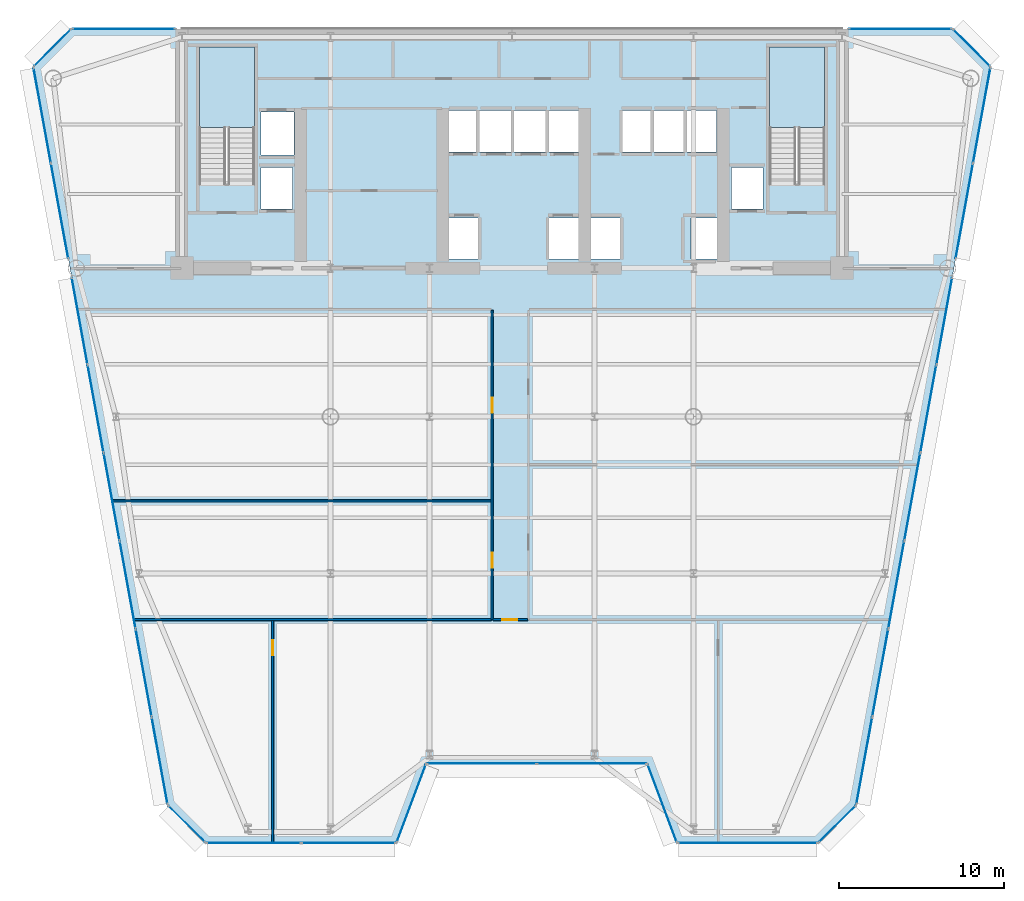
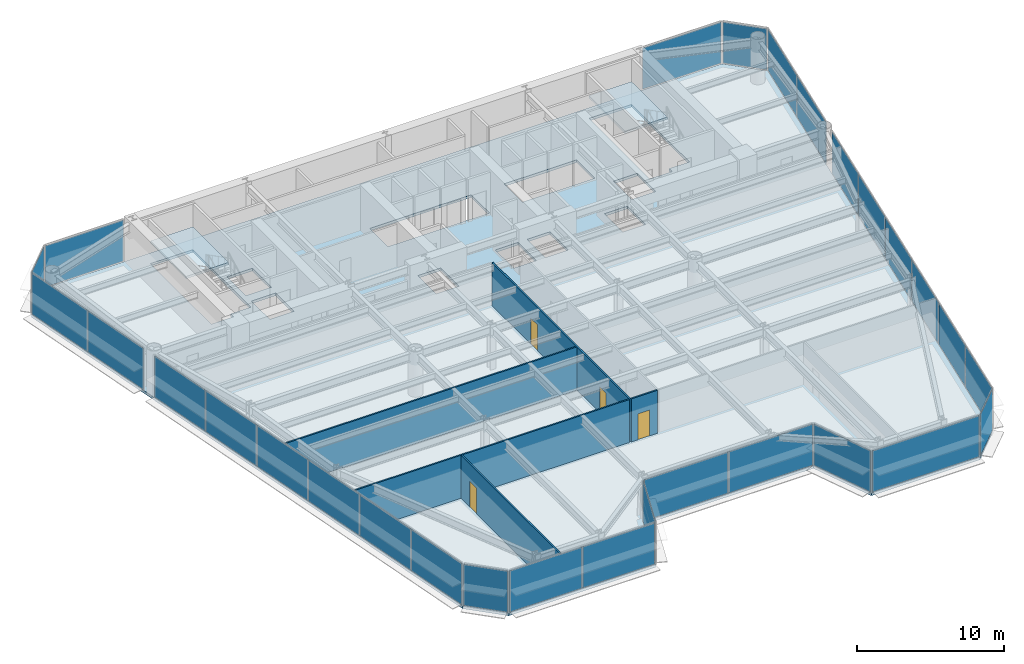
# One storey, part 7 of 14: 29 plates, 5 walls, 4 doors, 3 slabs, 4 openings, 17 elements without a shape of their own.
"""IFC4 building model written with IfcOpenShell, lengths in metres."""

from ifc_helpers import new_model, si_unit, direction, frame, frame_2d, origin, origin_2d, place, context, subcontext, project, spatial, polyline, rectangle, outline, extrude, source, transform, mapped, material, layer, layer_set, type_object, element, fill, aggregate, save


model = new_model("IFC4")

# Units and contexts
model_context = context("Model", 3, precision=1e-05, world=origin(), true_north=direction((0.0, 1.0)))
body_context = subcontext(model_context, "Body", "Model", "MODEL_VIEW")
ifc_project = project(units=[si_unit("LENGTHUNIT", "METRE"), si_unit("AREAUNIT", "SQUARE_METRE"), si_unit("VOLUMEUNIT", "CUBIC_METRE"), si_unit("PLANEANGLEUNIT", "RADIAN"), si_unit("MASSUNIT", "GRAM", prefix="KILO")], contexts=[model_context])

# Site, building, storey
site_placement = place(None, origin())
site = spatial("IfcSite", under=ifc_project, at=site_placement, CompositionType="ELEMENT")
building_placement = place(site_placement, origin())
building = spatial("IfcBuilding", under=site, at=building_placement, Name="Vaeldorn Concourse Tower", CompositionType="ELEMENT")
storey_placement = place(building_placement, frame((0.0, 0.0, 118.60009765625)))
storey = spatial("IfcBuildingStorey", under=building, at=storey_placement, Name="L30", CompositionType="ELEMENT", Elevation=118.60009765625)

# Stair, slab
ifc_material_1 = material(Name="Precast concrete C40/50", Category="concrete")
stair_type = type_object("IfcStairType", Name="STR-DOG-24x158", PredefinedType="HALF_TURN_STAIR", material=ifc_material_1)
stair_1_placement = place(storey_placement, origin())
stair_1 = element("IfcStair", 1, at=stair_1_placement, inside=storey, type_object=stair_type, Name="L30 West Core Exit Stair ST-1", PredefinedType="HALF_TURN_STAIR")
ifc_material_2 = material(Name="Concrete C40/50", Category="concrete")
ifc_layer_1 = layer(ifc_material_2, 0.199951171875)
ifc_layer_set_1 = layer_set([ifc_layer_1], Name="Concrete C40/50")
slab_type_1 = type_object("IfcSlabType", Name="SL-STAIR-LANDING", PredefinedType="LANDING", material=ifc_layer_set_1)
slab_1_placement = place(storey_placement, frame((0.0, 0.0, 1.699951171875)))
slab_1 = element("IfcSlab", 2, at=slab_1_placement, type_object=slab_type_1, Name="ST-1 landing 1", PredefinedType="LANDING", context=body_context, shape_type="SweptSolid", body=[
    extrude(outline(polyline([(18.39990234375, 45.010009765625), (18.39990234375, 49.89990234375), (15.050048828125, 49.89990234375), (15.050048828125, 45.010009765625), (18.39990234375, 45.010009765625)])), origin(), (0.0, 0.0, 1.0), 0.199951171875),
])
aggregate(stair_1, [slab_1])

stair_2_placement = place(storey_placement, origin())
stair_2 = element("IfcStair", 3, at=stair_2_placement, inside=storey, type_object=stair_type, Name="L30 East Core Exit Stair ST-2", PredefinedType="HALF_TURN_STAIR")
slab_2_placement = place(storey_placement, frame((0.0, 0.0, 1.699951171875)))
slab_2 = element("IfcSlab", 4, at=slab_2_placement, type_object=slab_type_1, Name="ST-2 landing 1", PredefinedType="LANDING", context=body_context, shape_type="SweptSolid", body=[
    extrude(outline(polyline([(52.949951171875, 45.010009765625), (52.949951171875, 49.89990234375), (49.60009765625, 49.89990234375), (49.60009765625, 45.010009765625), (52.949951171875, 45.010009765625)])), origin(), (0.0, 0.0, 1.0), 0.199951171875),
])
aggregate(stair_2, [slab_2])

# Slab
ifc_layer_2 = layer(ifc_material_2, 0.219970703125)
ifc_layer_set_2 = layer_set([ifc_layer_2], Name="Concrete C40/50")
slab_type_2 = type_object("IfcSlabType", Name="SL-TYP-220", PredefinedType="FLOOR", material=ifc_layer_set_2)
slab_3_placement = place(storey_placement, frame((0.0, 0.0, -0.22021484375)))
element("IfcSlab", 5, at=slab_3_placement, inside=storey, type_object=slab_type_2, Name="Structural Floor Slab L30", PredefinedType="FLOOR", context=body_context, shape_type="SweptSolid", body=[
    extrude(outline(polyline([(15.43896484375, 1.673583984375), (27.0, 1.673583984375), (28.800048828125, 6.473388671875), (42.199951171875, 6.473388671875), (44.0, 1.673583984375), (52.56103515625, 1.673583984375), (54.861083984375, 3.973388671875), (63.0, 48.699951171875), (60.699951171875, 51.0), (7.300048828125, 51.0), (5.0, 48.699951171875), (13.138916015625, 3.973388671875), (15.43896484375, 1.673583984375)]), holes=[polyline([(18.39990234375, 42.0), (18.39990234375, 49.89990234375), (15.050048828125, 49.89990234375), (15.050048828125, 41.60009765625), (16.800048828125, 41.60009765625), (16.800048828125, 42.0), (18.39990234375, 42.0)]), polyline([(52.949951171875, 42.0), (52.949951171875, 49.89990234375), (49.60009765625, 49.89990234375), (49.60009765625, 41.60009765625), (51.35009765625, 41.60009765625), (51.35009765625, 42.0), (52.949951171875, 42.0)]), polyline([(30.14990234375, 37.050048828125), (31.949951171875, 37.050048828125), (31.949951171875, 39.550048828125), (30.14990234375, 39.550048828125), (30.14990234375, 37.050048828125)]), polyline([(36.25, 37.050048828125), (38.050048828125, 37.050048828125), (38.050048828125, 39.550048828125), (36.25, 39.550048828125), (36.25, 37.050048828125)]), polyline([(30.10009765625, 43.550048828125), (38.10009765625, 43.550048828125), (38.10009765625, 46.050048828125), (30.10009765625, 46.050048828125), (30.10009765625, 43.550048828125)]), polyline([(38.75, 37.050048828125), (40.550048828125, 37.050048828125), (40.550048828125, 39.550048828125), (38.75, 39.550048828125), (38.75, 37.050048828125)]), polyline([(44.85009765625, 37.050048828125), (46.64990234375, 37.050048828125), (46.64990234375, 39.550048828125), (44.85009765625, 39.550048828125), (44.85009765625, 37.050048828125)]), polyline([(40.699951171875, 43.550048828125), (46.39990234375, 43.550048828125), (46.39990234375, 46.050048828125), (40.699951171875, 46.050048828125), (40.699951171875, 43.550048828125)]), polyline([(18.800048828125, 43.35009765625), (20.800048828125, 43.35009765625), (20.800048828125, 45.949951171875), (18.800048828125, 45.949951171875), (18.800048828125, 43.35009765625)]), polyline([(18.800048828125, 40.10009765625), (20.699951171875, 40.10009765625), (20.699951171875, 42.60009765625), (18.800048828125, 42.60009765625), (18.800048828125, 40.10009765625)]), polyline([(47.300048828125, 40.10009765625), (49.199951171875, 40.10009765625), (49.199951171875, 42.60009765625), (47.300048828125, 42.60009765625), (47.300048828125, 40.10009765625)])]), origin(), (0.0, 0.0, 1.0), 0.22021484375),
])

# Curtain wall, plate
ifc_material_3 = material(Name="Anodised Bronze Aluminium", Category="aluminium")
ifc_layer_3 = layer(ifc_material_3, 0.199951171875)
ifc_layer_set_3 = layer_set([ifc_layer_3], Name="Anodised Bronze Aluminium")
curtain_wall_type = type_object("IfcCurtainWallType", Name="CW-SYS-02", PredefinedType="NOTDEFINED", material=ifc_layer_set_3)
curtain_wall_1_placement = place(storey_placement, origin())
curtain_wall_1 = element("IfcCurtainWall", 6, at=curtain_wall_1_placement, inside=storey, type_object=curtain_wall_type, Name="Unitised Curtain Wall CW-L30-E02-1", PredefinedType="NOTDEFINED")
ifc_material_4 = material(Name="Bronze Tinted Low-E Insulated Glass", Category="glass")
ifc_layer_4 = layer(ifc_material_4, 0.031982421875)
ifc_layer_set_4 = layer_set([ifc_layer_4], Name="Bronze Tinted Low-E Insulated Glass")
plate_type = type_object("IfcPlateType", Name="CWP-VISION-32", PredefinedType="CURTAIN_PANEL", material=ifc_layer_set_4)
shared_shape_1 = source(origin(), body_context, "Body", "SweptSolid", [
    extrude(rectangle(XDim=4.976318359375, YDim=0.031982421875, at=origin_2d()), origin(), (0.0, 0.0, 1.0), 3.429931640625),
])
plate_1_placement = place(storey_placement, frame((27.89990234375, 4.073486328125, 0.07470703125), z_axis=(0.0, 0.0, 1.0), x_axis=(0.351123441595, 0.936329177566, 0.0)))
plate_1 = element("IfcPlate", 7, at=plate_1_placement, type_object=plate_type, Name="CW-02 panel 1.1", PredefinedType="CURTAIN_PANEL", context=body_context, shape_type="MappedRepresentation", body=[
    mapped(shared_shape_1, transform((0.0, 0.0, 0.0), scale=1.0)),
])
aggregate(curtain_wall_1, [plate_1])

curtain_wall_2_placement = place(storey_placement, origin())
curtain_wall_2 = element("IfcCurtainWall", 8, at=curtain_wall_2_placement, inside=storey, type_object=curtain_wall_type, Name="Unitised Curtain Wall CW-L30-E04-1", PredefinedType="NOTDEFINED")
plate_2_placement = place(storey_placement, frame((43.10009765625, 4.073486328125, 0.07470703125), z_axis=(0.0, 0.0, 1.0), x_axis=(0.351123441595, -0.936329177566, 0.0)))
plate_2 = element("IfcPlate", 9, at=plate_2_placement, type_object=plate_type, Name="CW-02 panel 1.1", PredefinedType="CURTAIN_PANEL", context=body_context, shape_type="MappedRepresentation", body=[
    mapped(shared_shape_1, transform((0.0, 0.0, 0.0), scale=1.0)),
])
aggregate(curtain_wall_2, [plate_2])

# Curtain wall, plates
curtain_wall_3_placement = place(storey_placement, origin())
curtain_wall_3 = element("IfcCurtainWall", 10, at=curtain_wall_3_placement, inside=storey, type_object=curtain_wall_type, Name="Unitised Curtain Wall CW-L30-E03-1", PredefinedType="NOTDEFINED")
shared_shape_2 = source(origin(), body_context, "Body", "SweptSolid", [
    extrude(rectangle(XDim=6.58740234375, YDim=0.031982421875, at=origin_2d()), origin(), (0.0, 0.0, 1.0), 3.429931640625),
])
plate_3_placement = place(storey_placement, frame((32.168701171875, 6.473388671875, 0.07470703125), z_axis=(0.0, 0.0, 1.0), x_axis=(1.0, 0.0, 0.0)))
plate_3 = element("IfcPlate", 11, at=plate_3_placement, type_object=plate_type, Name="CW-02 panel 1.1", PredefinedType="CURTAIN_PANEL", context=body_context, shape_type="MappedRepresentation", body=[
    mapped(shared_shape_2, transform((0.0, 0.0, 0.0), scale=1.0)),
])
plate_4_placement = place(storey_placement, frame((38.831298828125, 6.473388671875, 0.07470703125), z_axis=(0.0, 0.0, 1.0), x_axis=(1.0, 0.0, 0.0)))
plate_4 = element("IfcPlate", 12, at=plate_4_placement, type_object=plate_type, Name="CW-02 panel 2.1", PredefinedType="CURTAIN_PANEL", context=body_context, shape_type="MappedRepresentation", body=[
    mapped(shared_shape_2, transform((0.0, 0.0, 0.0), scale=1.0)),
])
aggregate(curtain_wall_3, [plate_3, plate_4])

# Curtain wall, plate
curtain_wall_4_placement = place(storey_placement, origin())
curtain_wall_4 = element("IfcCurtainWall", 13, at=curtain_wall_4_placement, inside=storey, type_object=curtain_wall_type, Name="Unitised Curtain Wall CW-L30-E06-1", PredefinedType="NOTDEFINED")
shared_shape_3 = source(origin(), body_context, "Body", "SweptSolid", [
    extrude(rectangle(XDim=3.102783203125, YDim=0.031982421875, at=origin_2d()), origin(), (0.0, 0.0, 1.0), 3.429931640625),
])
plate_5_placement = place(storey_placement, frame((53.711181640625, 2.823486328125, 0.07470703125), z_axis=(0.0, 0.0, 1.0), x_axis=(0.707106781187, 0.707106781187, 0.0)))
plate_5 = element("IfcPlate", 14, at=plate_5_placement, type_object=plate_type, Name="CW-02 panel 1.1", PredefinedType="CURTAIN_PANEL", context=body_context, shape_type="MappedRepresentation", body=[
    mapped(shared_shape_3, transform((0.0, 0.0, 0.0), scale=1.0)),
])
aggregate(curtain_wall_4, [plate_5])

curtain_wall_5_placement = place(storey_placement, origin())
curtain_wall_5 = element("IfcCurtainWall", 15, at=curtain_wall_5_placement, inside=storey, type_object=curtain_wall_type, Name="Unitised Curtain Wall CW-L30-E08-1", PredefinedType="NOTDEFINED")
plate_6_placement = place(storey_placement, frame((61.85009765625, 49.85009765625, 0.07470703125), z_axis=(0.0, 0.0, 1.0), x_axis=(-0.707106781187, 0.707106781187, 0.0)))
plate_6 = element("IfcPlate", 16, at=plate_6_placement, type_object=plate_type, Name="CW-02 panel 1.1", PredefinedType="CURTAIN_PANEL", context=body_context, shape_type="MappedRepresentation", body=[
    mapped(shared_shape_3, transform((0.0, 0.0, 0.0), scale=1.0)),
])
aggregate(curtain_wall_5, [plate_6])

curtain_wall_6_placement = place(storey_placement, origin())
curtain_wall_6 = element("IfcCurtainWall", 17, at=curtain_wall_6_placement, inside=storey, type_object=curtain_wall_type, Name="Unitised Curtain Wall CW-L30-E10-1", PredefinedType="NOTDEFINED")
plate_7_placement = place(storey_placement, frame((6.14990234375, 49.85009765625, 0.07470703125), z_axis=(0.0, 0.0, 1.0), x_axis=(-0.707106781187, -0.707106781187, 0.0)))
plate_7 = element("IfcPlate", 18, at=plate_7_placement, type_object=plate_type, Name="CW-02 panel 1.1", PredefinedType="CURTAIN_PANEL", context=body_context, shape_type="MappedRepresentation", body=[
    mapped(shared_shape_3, transform((0.0, 0.0, 0.0), scale=1.0)),
])
aggregate(curtain_wall_6, [plate_7])

curtain_wall_7_placement = place(storey_placement, origin())
curtain_wall_7 = element("IfcCurtainWall", 19, at=curtain_wall_7_placement, inside=storey, type_object=curtain_wall_type, Name="Unitised Curtain Wall CW-L30-E12-1", PredefinedType="NOTDEFINED")
plate_8_placement = place(storey_placement, frame((14.288818359375, 2.823486328125, 0.07470703125), z_axis=(0.0, 0.0, 1.0), x_axis=(0.707106781187, -0.707106781187, 0.0)))
plate_8 = element("IfcPlate", 20, at=plate_8_placement, type_object=plate_type, Name="CW-02 panel 1.1", PredefinedType="CURTAIN_PANEL", context=body_context, shape_type="MappedRepresentation", body=[
    mapped(shared_shape_3, transform((0.0, 0.0, 0.0), scale=1.0)),
])
aggregate(curtain_wall_7, [plate_8])

# Curtain wall, plates
curtain_wall_8_placement = place(storey_placement, origin())
curtain_wall_8 = element("IfcCurtainWall", 21, at=curtain_wall_8_placement, inside=storey, type_object=curtain_wall_type, Name="Unitised Curtain Wall CW-L30-E01-1", PredefinedType="NOTDEFINED")
shared_shape_4 = source(origin(), body_context, "Body", "SweptSolid", [
    extrude(rectangle(XDim=5.66796875, YDim=0.031982421875, at=origin_2d()), origin(), (0.0, 0.0, 1.0), 3.429931640625),
])
plate_9_placement = place(storey_placement, frame((18.347900390625, 1.673583984375, 0.07470703125), z_axis=(0.0, 0.0, 1.0), x_axis=(1.0, 0.0, 0.0)))
plate_9 = element("IfcPlate", 22, at=plate_9_placement, type_object=plate_type, Name="CW-02 panel 1.1", PredefinedType="CURTAIN_PANEL", context=body_context, shape_type="MappedRepresentation", body=[
    mapped(shared_shape_4, transform((0.0, 0.0, 0.0), scale=1.0)),
])
plate_10_placement = place(storey_placement, frame((24.091064453125, 1.673583984375, 0.07470703125), z_axis=(0.0, 0.0, 1.0), x_axis=(1.0, 0.0, 0.0)))
plate_10 = element("IfcPlate", 23, at=plate_10_placement, type_object=plate_type, Name="CW-02 panel 2.1", PredefinedType="CURTAIN_PANEL", context=body_context, shape_type="MappedRepresentation", body=[
    mapped(shared_shape_4, transform((0.0, 0.0, 0.0), scale=1.0)),
])
aggregate(curtain_wall_8, [plate_9, plate_10])

# Curtain wall, plate
curtain_wall_9_placement = place(storey_placement, origin())
curtain_wall_9 = element("IfcCurtainWall", 24, at=curtain_wall_9_placement, inside=storey, type_object=curtain_wall_type, Name="Unitised Curtain Wall CW-L30-E05-1", PredefinedType="NOTDEFINED")
shared_shape_5 = source(origin(), body_context, "Body", "SweptSolid", [
    extrude(rectangle(XDim=8.4111328125, YDim=0.031982421875, at=origin_2d()), origin(), (0.0, 0.0, 1.0), 3.429931640625),
])
plate_11_placement = place(storey_placement, frame((48.280517578125, 1.673583984375, 0.07470703125), z_axis=(0.0, 0.0, 1.0), x_axis=(1.0, 0.0, 0.0)))
plate_11 = element("IfcPlate", 25, at=plate_11_placement, type_object=plate_type, Name="CW-02 panel 1.1", PredefinedType="CURTAIN_PANEL", context=body_context, shape_type="MappedRepresentation", body=[
    mapped(shared_shape_5, transform((0.0, 0.0, 0.0), scale=1.0)),
])
aggregate(curtain_wall_9, [plate_11])

curtain_wall_10_placement = place(storey_placement, origin())
curtain_wall_10 = element("IfcCurtainWall", 26, at=curtain_wall_10_placement, inside=storey, type_object=curtain_wall_type, Name="Unitised Curtain Wall CW-L30-E09-1", PredefinedType="NOTDEFINED")
shared_shape_6 = source(origin(), body_context, "Body", "SweptSolid", [
    extrude(rectangle(XDim=6.179931640625, YDim=0.031982421875, at=origin_2d()), origin(), (0.0, 0.0, 1.0), 3.429931640625),
])
plate_12_placement = place(storey_placement, frame((57.534912109375, 51.0, 0.07470703125), z_axis=(0.0, 0.0, 1.0), x_axis=(-1.0, 0.0, 0.0)))
plate_12 = element("IfcPlate", 27, at=plate_12_placement, type_object=plate_type, Name="CW-02 panel 1.1", PredefinedType="CURTAIN_PANEL", context=body_context, shape_type="MappedRepresentation", body=[
    mapped(shared_shape_6, transform((0.0, 0.0, 0.0), scale=1.0)),
])
aggregate(curtain_wall_10, [plate_12])

curtain_wall_11_placement = place(storey_placement, origin())
curtain_wall_11 = element("IfcCurtainWall", 28, at=curtain_wall_11_placement, inside=storey, type_object=curtain_wall_type, Name="Unitised Curtain Wall CW-L30-E09-2", PredefinedType="NOTDEFINED")
plate_13_placement = place(storey_placement, frame((10.465087890625, 51.0, 0.07470703125), z_axis=(0.0, 0.0, 1.0), x_axis=(-1.0, 0.0, 0.0)))
plate_13 = element("IfcPlate", 29, at=plate_13_placement, type_object=plate_type, Name="CW-02 panel 1.1", PredefinedType="CURTAIN_PANEL", context=body_context, shape_type="MappedRepresentation", body=[
    mapped(shared_shape_6, transform((0.0, 0.0, 0.0), scale=1.0)),
])
aggregate(curtain_wall_11, [plate_13])

# Curtain wall, plates
curtain_wall_12_placement = place(storey_placement, origin())
curtain_wall_12 = element("IfcCurtainWall", 30, at=curtain_wall_12_placement, inside=storey, type_object=curtain_wall_type, Name="Unitised Curtain Wall CW-L30-E07-2", PredefinedType="NOTDEFINED")
shared_shape_7 = source(origin(), body_context, "Body", "SweptSolid", [
    extrude(rectangle(XDim=5.824462890625, YDim=0.031982421875, at=origin_2d()), origin(), (0.0, 0.0, 1.0), 3.429931640625),
])
plate_14_placement = place(storey_placement, frame((61.408935546875, 39.95703125, 0.07470703125), z_axis=(0.0, 0.0, 1.0), x_axis=(0.179032178925, 0.983843218663, 0.0)))
plate_14 = element("IfcPlate", 31, at=plate_14_placement, type_object=plate_type, Name="CW-02 panel 1.1", PredefinedType="CURTAIN_PANEL", context=body_context, shape_type="MappedRepresentation", body=[
    mapped(shared_shape_7, transform((0.0, 0.0, 0.0), scale=1.0)),
])
plate_15_placement = place(storey_placement, frame((62.465087890625, 45.760986328125, 0.07470703125), z_axis=(0.0, 0.0, 1.0), x_axis=(0.179032178925, 0.983843218663, 0.0)))
plate_15 = element("IfcPlate", 32, at=plate_15_placement, type_object=plate_type, Name="CW-02 panel 2.1", PredefinedType="CURTAIN_PANEL", context=body_context, shape_type="MappedRepresentation", body=[
    mapped(shared_shape_7, transform((0.0, 0.0, 0.0), scale=1.0)),
])
aggregate(curtain_wall_12, [plate_14, plate_15])

curtain_wall_13_placement = place(storey_placement, origin())
curtain_wall_13 = element("IfcCurtainWall", 33, at=curtain_wall_13_placement, inside=storey, type_object=curtain_wall_type, Name="Unitised Curtain Wall CW-L30-E11-1", PredefinedType="NOTDEFINED")
plate_16_placement = place(storey_placement, frame((5.534912109375, 45.760986328125, 0.07470703125), z_axis=(0.0, 0.0, 1.0), x_axis=(0.179032178925, -0.983843218663, 0.0)))
plate_16 = element("IfcPlate", 34, at=plate_16_placement, type_object=plate_type, Name="CW-02 panel 1.1", PredefinedType="CURTAIN_PANEL", context=body_context, shape_type="MappedRepresentation", body=[
    mapped(shared_shape_7, transform((0.0, 0.0, 0.0), scale=1.0)),
])
plate_17_placement = place(storey_placement, frame((6.591064453125, 39.95703125, 0.07470703125), z_axis=(0.0, 0.0, 1.0), x_axis=(0.179032178925, -0.983843218663, 0.0)))
plate_17 = element("IfcPlate", 35, at=plate_17_placement, type_object=plate_type, Name="CW-02 panel 2.1", PredefinedType="CURTAIN_PANEL", context=body_context, shape_type="MappedRepresentation", body=[
    mapped(shared_shape_7, transform((0.0, 0.0, 0.0), scale=1.0)),
])
aggregate(curtain_wall_13, [plate_16, plate_17])

curtain_wall_14_placement = place(storey_placement, origin())
curtain_wall_14 = element("IfcCurtainWall", 36, at=curtain_wall_14_placement, inside=storey, type_object=curtain_wall_type, Name="Unitised Curtain Wall CW-L30-E07-1", PredefinedType="NOTDEFINED")
shared_shape_8 = source(origin(), body_context, "Body", "SweptSolid", [
    extrude(rectangle(XDim=5.309814453125, YDim=0.031982421875, at=origin_2d()), origin(), (0.0, 0.0, 1.0), 3.429931640625),
])
plate_18_placement = place(storey_placement, frame((55.349853515625, 6.659423828125, 0.07470703125), z_axis=(0.0, 0.0, 1.0), x_axis=(0.179030416291, 0.983843539412, 0.0)))
plate_18 = element("IfcPlate", 37, at=plate_18_placement, type_object=plate_type, Name="CW-02 panel 1.1", PredefinedType="CURTAIN_PANEL", context=body_context, shape_type="MappedRepresentation", body=[
    mapped(shared_shape_8, transform((0.0, 0.0, 0.0), scale=1.0)),
])
plate_19_placement = place(storey_placement, frame((60.197021484375, 33.296142578125, 0.07470703125), z_axis=(0.0, 0.0, 1.0), x_axis=(0.179030416291, 0.983843539412, 0.0)))
plate_19 = element("IfcPlate", 38, at=plate_19_placement, type_object=plate_type, Name="CW-02 panel 6.1", PredefinedType="CURTAIN_PANEL", context=body_context, shape_type="MappedRepresentation", body=[
    mapped(shared_shape_8, transform((0.0, 0.0, 0.0), scale=1.0)),
])

curtain_wall_15_placement = place(storey_placement, origin())
curtain_wall_15 = element("IfcCurtainWall", 39, at=curtain_wall_15_placement, inside=storey, type_object=curtain_wall_type, Name="Unitised Curtain Wall CW-L30-E11-2", PredefinedType="NOTDEFINED")
plate_20_placement = place(storey_placement, frame((7.802978515625, 33.296142578125, 0.07470703125), z_axis=(0.0, 0.0, 1.0), x_axis=(0.179030416291, -0.983843539412, 0.0)))
plate_20 = element("IfcPlate", 40, at=plate_20_placement, type_object=plate_type, Name="CW-02 panel 1.1", PredefinedType="CURTAIN_PANEL", context=body_context, shape_type="MappedRepresentation", body=[
    mapped(shared_shape_8, transform((0.0, 0.0, 0.0), scale=1.0)),
])
plate_21_placement = place(storey_placement, frame((12.650146484375, 6.659423828125, 0.07470703125), z_axis=(0.0, 0.0, 1.0), x_axis=(0.179030416291, -0.983843539412, 0.0)))
plate_21 = element("IfcPlate", 41, at=plate_21_placement, type_object=plate_type, Name="CW-02 panel 6.1", PredefinedType="CURTAIN_PANEL", context=body_context, shape_type="MappedRepresentation", body=[
    mapped(shared_shape_8, transform((0.0, 0.0, 0.0), scale=1.0)),
])

# Plate
shared_shape_9 = source(origin(), body_context, "Body", "SweptSolid", [
    extrude(rectangle(XDim=5.347412109375, YDim=0.031982421875, at=origin_2d()), origin(), (0.0, 0.0, 1.0), 3.429931640625),
])
plate_22_placement = place(storey_placement, frame((56.317138671875, 11.9755859375, 0.07470703125), z_axis=(0.0, 0.0, 1.0), x_axis=(0.179030416291, 0.983843539412, 0.0)))
plate_22 = element("IfcPlate", 42, at=plate_22_placement, type_object=plate_type, Name="CW-02 panel 2.1", PredefinedType="CURTAIN_PANEL", context=body_context, shape_type="MappedRepresentation", body=[
    mapped(shared_shape_9, transform((0.0, 0.0, 0.0), scale=1.0)),
])

plate_23_placement = place(storey_placement, frame((57.2880859375, 17.310302734375, 0.07470703125), z_axis=(0.0, 0.0, 1.0), x_axis=(0.179030416291, 0.983843539412, 0.0)))
plate_23 = element("IfcPlate", 43, at=plate_23_placement, type_object=plate_type, Name="CW-02 panel 3.1", PredefinedType="CURTAIN_PANEL", context=body_context, shape_type="MappedRepresentation", body=[
    mapped(shared_shape_9, transform((0.0, 0.0, 0.0), scale=1.0)),
])

plate_24_placement = place(storey_placement, frame((58.2587890625, 22.64501953125, 0.07470703125), z_axis=(0.0, 0.0, 1.0), x_axis=(0.179030416291, 0.983843539412, 0.0)))
plate_24 = element("IfcPlate", 44, at=plate_24_placement, type_object=plate_type, Name="CW-02 panel 4.1", PredefinedType="CURTAIN_PANEL", context=body_context, shape_type="MappedRepresentation", body=[
    mapped(shared_shape_9, transform((0.0, 0.0, 0.0), scale=1.0)),
])

plate_25_placement = place(storey_placement, frame((59.2294921875, 27.97998046875, 0.07470703125), z_axis=(0.0, 0.0, 1.0), x_axis=(0.179030416291, 0.983843539412, 0.0)))
plate_25 = element("IfcPlate", 45, at=plate_25_placement, type_object=plate_type, Name="CW-02 panel 5.1", PredefinedType="CURTAIN_PANEL", context=body_context, shape_type="MappedRepresentation", body=[
    mapped(shared_shape_9, transform((0.0, 0.0, 0.0), scale=1.0)),
])

aggregate(curtain_wall_14, [plate_18, plate_22, plate_23, plate_24, plate_25, plate_19])

plate_26_placement = place(storey_placement, frame((8.7705078125, 27.97998046875, 0.07470703125), z_axis=(0.0, 0.0, 1.0), x_axis=(0.179030416291, -0.983843539412, 0.0)))
plate_26 = element("IfcPlate", 46, at=plate_26_placement, type_object=plate_type, Name="CW-02 panel 2.1", PredefinedType="CURTAIN_PANEL", context=body_context, shape_type="MappedRepresentation", body=[
    mapped(shared_shape_9, transform((0.0, 0.0, 0.0), scale=1.0)),
])

plate_27_placement = place(storey_placement, frame((9.7412109375, 22.64501953125, 0.07470703125), z_axis=(0.0, 0.0, 1.0), x_axis=(0.179030416291, -0.983843539412, 0.0)))
plate_27 = element("IfcPlate", 47, at=plate_27_placement, type_object=plate_type, Name="CW-02 panel 3.1", PredefinedType="CURTAIN_PANEL", context=body_context, shape_type="MappedRepresentation", body=[
    mapped(shared_shape_9, transform((0.0, 0.0, 0.0), scale=1.0)),
])

plate_28_placement = place(storey_placement, frame((10.7119140625, 17.310302734375, 0.07470703125), z_axis=(0.0, 0.0, 1.0), x_axis=(0.179030416291, -0.983843539412, 0.0)))
plate_28 = element("IfcPlate", 48, at=plate_28_placement, type_object=plate_type, Name="CW-02 panel 4.1", PredefinedType="CURTAIN_PANEL", context=body_context, shape_type="MappedRepresentation", body=[
    mapped(shared_shape_9, transform((0.0, 0.0, 0.0), scale=1.0)),
])

plate_29_placement = place(storey_placement, frame((11.682861328125, 11.9755859375, 0.07470703125), z_axis=(0.0, 0.0, 1.0), x_axis=(0.179030416291, -0.983843539412, 0.0)))
plate_29 = element("IfcPlate", 49, at=plate_29_placement, type_object=plate_type, Name="CW-02 panel 5.1", PredefinedType="CURTAIN_PANEL", context=body_context, shape_type="MappedRepresentation", body=[
    mapped(shared_shape_9, transform((0.0, 0.0, 0.0), scale=1.0)),
])

aggregate(curtain_wall_15, [plate_20, plate_26, plate_27, plate_28, plate_29, plate_21])

# Wall, openings, doors
ifc_material_5 = material(Name="Gypsum Board Partition", Category="gypsum")
ifc_layer_5 = layer(ifc_material_5, 0.1201171875)
ifc_layer_set_5 = layer_set([ifc_layer_5], Name="Gypsum Board Partition")
wall_type = type_object("IfcWallType", Name="WL-PART-120", PredefinedType="PARTITIONING", material=ifc_layer_set_5)
wall_1_placement = place(storey_placement, frame((32.800048828125, 15.199951171875, 0.0), z_axis=(0.0, 0.0, 1.0), x_axis=(0.0, 1.0, 0.0)))
wall_1 = element("IfcWall", 50, at=wall_1_placement, inside=storey, type_object=wall_type, Name="Interior Wall PW-L30-SP2W", PredefinedType="PARTITIONING", context=body_context, shape_type="SweptSolid", body=[
    extrude(rectangle(XDim=18.739990234375, YDim=0.1201171875, at=frame_2d((9.3701171875, 0.0))), origin(), (0.0, 0.0, 1.0), 3.579833984375),
])
opening_1_placement = place(wall_1_placement, frame((3.14990234375, 0.0, 0.0)))
opening_1 = element("IfcOpeningElement", 51, at=opening_1_placement, cuts=wall_1, Name="Opening D-03", PredefinedType="OPENING", context=body_context, shape_type="SweptSolid", body=[
    extrude(rectangle(XDim=0.89990234375, YDim=2.14990234375, at=frame_2d((0.449951171875, 1.074951171875))), frame((0.0, 0.070068359375, 0.0), z_axis=(0.0, -1.0, 0.0), x_axis=(1.0, 0.0, 0.0)), (0.0, 0.0, 1.0), 0.14013671875),
])
opening_2_placement = place(wall_1_placement, frame((12.550048828125, 0.0, 0.0)))
opening_2 = element("IfcOpeningElement", 52, at=opening_2_placement, cuts=wall_1, Name="Opening D-03", PredefinedType="OPENING", context=body_context, shape_type="SweptSolid", body=[
    extrude(rectangle(XDim=0.89990234375, YDim=2.14990234375, at=frame_2d((0.449951171875, 1.074951171875))), frame((0.0, 0.070068359375, 0.0), z_axis=(0.0, -1.0, 0.0), x_axis=(1.0, 0.0, 0.0)), (0.0, 0.0, 1.0), 0.14013671875),
])
ifc_material_6 = material(Name="Acoustic Bronze-Framed Glass Door", Category="glass")
door_type = type_object("IfcDoorType", Name="DR-INT-900", OperationType="NOTDEFINED", PredefinedType="DOOR", material=ifc_material_6)
shared_shape_10 = source(origin(), body_context, "Body", "SweptSolid", [
    extrude(rectangle(XDim=0.89990234375, YDim=2.14990234375, at=frame_2d((0.449951171875, 1.074951171875))), frame((0.0, 0.02490234375, 0.0), z_axis=(0.0, -1.0, 0.0), x_axis=(1.0, 0.0, 0.0)), (0.0, 0.0, 1.0), 0.050048828125),
])
door_1_placement = place(opening_1_placement, origin())
door_1 = element("IfcDoor", 53, at=door_1_placement, inside=storey, type_object=door_type, Name="Interior Door DR-L30-Z2W1", OperationType="SINGLE_SWING_LEFT", OverallHeight=2.14990234375, OverallWidth=0.89990234375, PredefinedType="DOOR", context=body_context, shape_type="MappedRepresentation", body=[
    mapped(shared_shape_10, transform((0.0, 0.0, 0.0), scale=1.0)),
])
fill(opening_1, door_1)
door_2_placement = place(opening_2_placement, origin())
door_2 = element("IfcDoor", 54, at=door_2_placement, inside=storey, type_object=door_type, Name="Interior Door DR-L30-Z2W2", OperationType="SINGLE_SWING_RIGHT", OverallHeight=2.14990234375, OverallWidth=0.89990234375, PredefinedType="DOOR", context=body_context, shape_type="MappedRepresentation", body=[
    mapped(shared_shape_10, transform((0.0, 0.0, 0.0), scale=1.0)),
])
fill(opening_2, door_2)

# Wall, opening, door
wall_2_placement = place(storey_placement, frame((32.860107421875, 15.199951171875, 0.0), z_axis=(0.0, 0.0, 1.0), x_axis=(1.0, 0.0, 0.0)))
wall_2 = element("IfcWall", 55, at=wall_2_placement, inside=storey, type_object=wall_type, Name="Interior Wall PW-L30-SP2S", PredefinedType="PARTITIONING", context=body_context, shape_type="SweptSolid", body=[
    extrude(rectangle(XDim=2.079833984375, YDim=0.1201171875, at=frame_2d((1.0400390625, 0.0))), origin(), (0.0, 0.0, 1.0), 3.579833984375),
])
opening_3_placement = place(wall_2_placement, frame((0.550048828125, 0.0, 0.0)))
opening_3 = element("IfcOpeningElement", 56, at=opening_3_placement, cuts=wall_2, Name="Opening D-03", PredefinedType="OPENING", context=body_context, shape_type="SweptSolid", body=[
    extrude(rectangle(XDim=0.89990234375, YDim=2.14990234375, at=frame_2d((0.449951171875, 1.074951171875))), frame((0.0, 0.070068359375, 0.0), z_axis=(0.0, -1.0, 0.0), x_axis=(1.0, 0.0, 0.0)), (0.0, 0.0, 1.0), 0.14013671875),
])
door_3_placement = place(opening_3_placement, origin())
door_3 = element("IfcDoor", 57, at=door_3_placement, inside=storey, type_object=door_type, Name="Interior Door DR-L30-Z2SFM", OperationType="SINGLE_SWING_LEFT", OverallHeight=2.14990234375, OverallWidth=0.89990234375, PredefinedType="DOOR", context=body_context, shape_type="MappedRepresentation", body=[
    mapped(shared_shape_10, transform((0.0, 0.0, 0.0), scale=1.0)),
])
fill(opening_3, door_3)

# Wall
wall_3_placement = place(storey_placement, frame((11.135986328125, 15.199951171875, 0.0), z_axis=(0.0, 0.0, 1.0), x_axis=(1.0, 0.0, 0.0)))
element("IfcWall", 58, at=wall_3_placement, inside=storey, type_object=wall_type, Name="Interior Wall PW-L30-S2WL", PredefinedType="PARTITIONING", context=body_context, shape_type="SweptSolid", body=[
    extrude(rectangle(XDim=21.60400390625, YDim=0.1201171875, at=frame_2d((10.802001953125, 0.0))), origin(), (0.0, 0.0, 1.0), 3.579833984375),
])

# Wall, opening, door
wall_4_placement = place(storey_placement, frame((19.5, 1.71337890625, 0.0), z_axis=(0.0, 0.0, 1.0), x_axis=(0.0, 1.0, 0.0)))
wall_4 = element("IfcWall", 59, at=wall_4_placement, inside=storey, type_object=wall_type, Name="Interior Wall PW-L30-Z2SFX1", PredefinedType="PARTITIONING", context=body_context, shape_type="SweptSolid", body=[
    extrude(rectangle(XDim=13.426513671875, YDim=0.1201171875, at=frame_2d((6.71337890625, 0.0))), origin(), (0.0, 0.0, 1.0), 3.579833984375),
])
opening_4_placement = place(wall_4_placement, frame((11.325927734375, 0.0, 0.0)))
opening_4 = element("IfcOpeningElement", 60, at=opening_4_placement, cuts=wall_4, Name="Opening D-03", PredefinedType="OPENING", context=body_context, shape_type="SweptSolid", body=[
    extrude(rectangle(XDim=0.89990234375, YDim=2.14990234375, at=frame_2d((0.449951171875, 1.074951171875))), frame((0.0, 0.070068359375, 0.0), z_axis=(0.0, -1.0, 0.0), x_axis=(1.0, 0.0, 0.0)), (0.0, 0.0, 1.0), 0.14013671875),
])
door_4_placement = place(opening_4_placement, origin())
door_4 = element("IfcDoor", 61, at=door_4_placement, inside=storey, type_object=door_type, Name="Interior Door DR-L30-Z2SFX1", OperationType="SINGLE_SWING_RIGHT", OverallHeight=2.14990234375, OverallWidth=0.89990234375, PredefinedType="DOOR", context=body_context, shape_type="MappedRepresentation", body=[
    mapped(shared_shape_10, transform((0.0, 0.0, 0.0), scale=1.0)),
])
fill(opening_4, door_4)

# Wall
wall_5_placement = place(storey_placement, frame((9.82568359375, 22.39990234375, 0.0), z_axis=(0.0, 0.0, 1.0), x_axis=(1.0, 0.0, 0.0)))
element("IfcWall", 62, at=wall_5_placement, inside=storey, type_object=wall_type, Name="Interior Wall PW-L30-Z2WY1", PredefinedType="PARTITIONING", context=body_context, shape_type="SweptSolid", body=[
    extrude(rectangle(XDim=22.914306640625, YDim=0.1201171875, at=frame_2d((11.45703125, 0.0))), origin(), (0.0, 0.0, 1.0), 3.579833984375),
])

save(model, "model.ifc")
